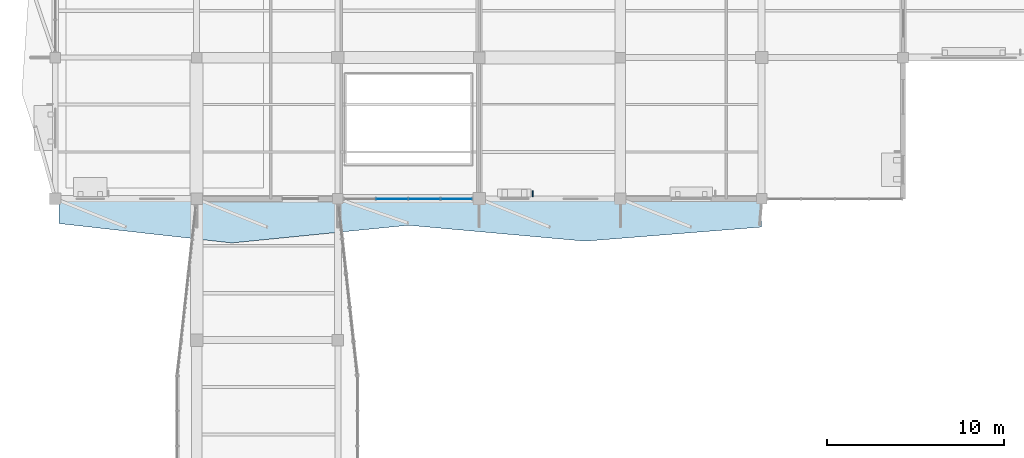
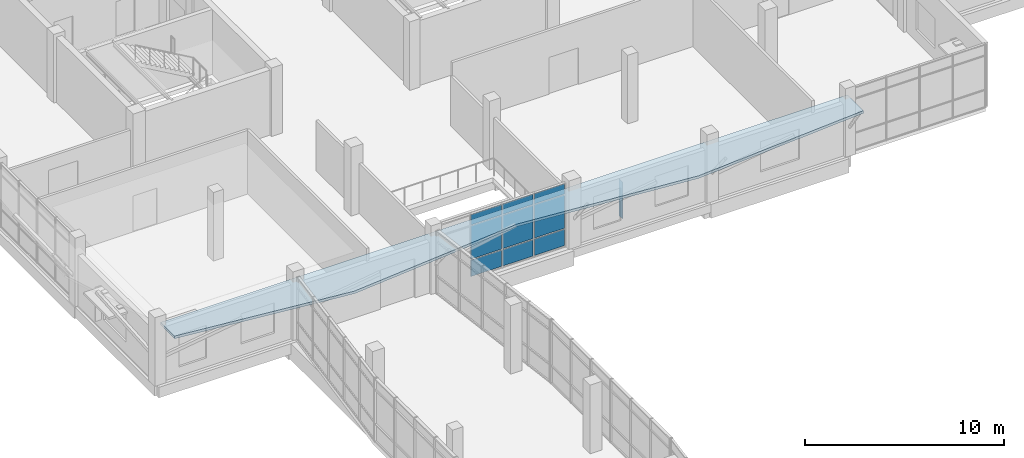
# One storey, part 59 of 84: 10 plates, 1 slab, 1 element without a shape of its own.
"""IFC4 building model written with IfcOpenShell, lengths in metres."""

from ifc_helpers import new_model, si_unit, direction, frame, origin, origin_2d, place, context, subcontext, project, spatial, polyline, rectangle, outline, extrude, material, layer, layer_set, type_object, element, aggregate, save


model = new_model("IFC4")

# Units and contexts
model_context = context("Model", 3, precision=1e-05, world=origin(), true_north=direction((0.0, 1.0)))
body_context = subcontext(model_context, "Body", "Model", "MODEL_VIEW")
ifc_project = project(units=[si_unit("LENGTHUNIT", "METRE"), si_unit("AREAUNIT", "SQUARE_METRE"), si_unit("VOLUMEUNIT", "CUBIC_METRE"), si_unit("PLANEANGLEUNIT", "RADIAN"), si_unit("MASSUNIT", "GRAM", prefix="KILO")], contexts=[model_context])

# Site, building, storey
site_placement = place(None, origin())
site = spatial("IfcSite", under=ifc_project, at=site_placement, CompositionType="ELEMENT")
building_placement = place(site_placement, origin())
building = spatial("IfcBuilding", under=site, at=building_placement, Name="Tenunan Teduh Sports Hall", CompositionType="ELEMENT")
storey_placement = place(building_placement, frame((0.0, 0.0, 10.800048828125)))
storey = spatial("IfcBuildingStorey", under=building, at=storey_placement, Name="L02", CompositionType="ELEMENT", Elevation=10.800048828125)

# Curtain wall, plates
ifc_material_1 = material(Name="Anodised aluminium", Category="aluminium")
curtain_wall_type = type_object("IfcCurtainWallType", Name="CW-UNIT-2", PredefinedType="NOTDEFINED", material=ifc_material_1)
curtain_wall_placement = place(storey_placement, origin())
curtain_wall = element("IfcCurtainWall", 1, at=curtain_wall_placement, inside=storey, type_object=curtain_wall_type, Name="CW-CWM-175-L02-210", PredefinedType="NOTDEFINED")
ifc_material_2 = material(Name="Low-E laminated double glazing", Category="glass")
ifc_layer_1 = layer(ifc_material_2, 0.028076171875)
ifc_layer_set_1 = layer_set([ifc_layer_1], Name="Low-E laminated double glazing")
plate_type_1 = type_object("IfcPlateType", Name="CWP-GLZ-28", PredefinedType="CURTAIN_PANEL", material=ifc_layer_set_1)
plate_1_placement = place(storey_placement, frame((25.05615234375, 78.0, 1.13232421875), z_axis=(0.0, 0.0, 1.0), x_axis=(1.0, 0.0, 0.0)))
plate_1 = element("IfcPlate", 2, at=plate_1_placement, type_object=plate_type_1, Name="CW-02 panel 2.2", PredefinedType="CURTAIN_PANEL", context=body_context, shape_type="SweptSolid", body=[
    extrude(rectangle(XDim=1.7724609375, YDim=0.028076171875, at=origin_2d()), origin(), (0.0, 0.0, 1.0), 2.034912109375),
])
plate_2_placement = place(storey_placement, frame((25.05615234375, 78.0, 3.232421875), z_axis=(0.0, 0.0, 1.0), x_axis=(1.0, 0.0, 0.0)))
plate_2 = element("IfcPlate", 3, at=plate_2_placement, type_object=plate_type_1, Name="CW-02 panel 2.3", PredefinedType="CURTAIN_PANEL", context=body_context, shape_type="SweptSolid", body=[
    extrude(rectangle(XDim=1.7724609375, YDim=0.028076171875, at=origin_2d()), origin(), (0.0, 0.0, 1.0), 0.62255859375),
])
plate_3_placement = place(storey_placement, frame((26.893798828125, 78.0, 1.13232421875), z_axis=(0.0, 0.0, 1.0), x_axis=(1.0, 0.0, 0.0)))
plate_3 = element("IfcPlate", 4, at=plate_3_placement, type_object=plate_type_1, Name="CW-02 panel 3.2", PredefinedType="CURTAIN_PANEL", context=body_context, shape_type="SweptSolid", body=[
    extrude(rectangle(XDim=1.7724609375, YDim=0.028076171875, at=origin_2d()), origin(), (0.0, 0.0, 1.0), 2.034912109375),
])
plate_4_placement = place(storey_placement, frame((26.893798828125, 78.0, 3.232421875), z_axis=(0.0, 0.0, 1.0), x_axis=(1.0, 0.0, 0.0)))
plate_4 = element("IfcPlate", 5, at=plate_4_placement, type_object=plate_type_1, Name="CW-02 panel 3.3", PredefinedType="CURTAIN_PANEL", context=body_context, shape_type="SweptSolid", body=[
    extrude(rectangle(XDim=1.7724609375, YDim=0.028076171875, at=origin_2d()), origin(), (0.0, 0.0, 1.0), 0.62255859375),
])
plate_5_placement = place(storey_placement, frame((28.715087890625, 78.0, 1.13232421875), z_axis=(0.0, 0.0, 1.0), x_axis=(1.0, 0.0, 0.0)))
plate_5 = element("IfcPlate", 6, at=plate_5_placement, type_object=plate_type_1, Name="CW-02 panel 4.2", PredefinedType="CURTAIN_PANEL", context=body_context, shape_type="SweptSolid", body=[
    extrude(rectangle(XDim=1.739990234375, YDim=0.028076171875, at=origin_2d()), origin(), (0.0, 0.0, 1.0), 2.034912109375),
])
plate_6_placement = place(storey_placement, frame((28.715087890625, 78.0, 3.232421875), z_axis=(0.0, 0.0, 1.0), x_axis=(1.0, 0.0, 0.0)))
plate_6 = element("IfcPlate", 7, at=plate_6_placement, type_object=plate_type_1, Name="CW-02 panel 4.3", PredefinedType="CURTAIN_PANEL", context=body_context, shape_type="SweptSolid", body=[
    extrude(rectangle(XDim=1.739990234375, YDim=0.028076171875, at=origin_2d()), origin(), (0.0, 0.0, 1.0), 0.62255859375),
])
ifc_material_3 = material(Name="Insulated aluminium spandrel panel", Category="aluminium")
ifc_layer_2 = layer(ifc_material_3, 0.044921875)
ifc_layer_set_2 = layer_set([ifc_layer_2], Name="Insulated aluminium spandrel panel")
plate_type_2 = type_object("IfcPlateType", Name="CWP-SPN-45", PredefinedType="CURTAIN_PANEL", material=ifc_layer_set_2)
plate_7_placement = place(storey_placement, frame((25.05615234375, 78.0, 0.06494140625), z_axis=(0.0, 0.0, 1.0), x_axis=(1.0, 0.0, 0.0)))
plate_7 = element("IfcPlate", 8, at=plate_7_placement, type_object=plate_type_2, Name="CW-02 panel 2.1", PredefinedType="CURTAIN_PANEL", context=body_context, shape_type="SweptSolid", body=[
    extrude(rectangle(XDim=1.7724609375, YDim=0.028076171875, at=origin_2d()), origin(), (0.0, 0.0, 1.0), 1.00244140625),
])
plate_8_placement = place(storey_placement, frame((26.893798828125, 78.0, 0.06494140625), z_axis=(0.0, 0.0, 1.0), x_axis=(1.0, 0.0, 0.0)))
plate_8 = element("IfcPlate", 9, at=plate_8_placement, type_object=plate_type_2, Name="CW-02 panel 3.1", PredefinedType="CURTAIN_PANEL", context=body_context, shape_type="SweptSolid", body=[
    extrude(rectangle(XDim=1.7724609375, YDim=0.028076171875, at=origin_2d()), origin(), (0.0, 0.0, 1.0), 1.00244140625),
])
plate_9_placement = place(storey_placement, frame((28.715087890625, 78.0, 0.06494140625), z_axis=(0.0, 0.0, 1.0), x_axis=(1.0, 0.0, 0.0)))
plate_9 = element("IfcPlate", 10, at=plate_9_placement, type_object=plate_type_2, Name="CW-02 panel 4.1", PredefinedType="CURTAIN_PANEL", context=body_context, shape_type="SweptSolid", body=[
    extrude(rectangle(XDim=1.739990234375, YDim=0.028076171875, at=origin_2d()), origin(), (0.0, 0.0, 1.0), 1.00244140625),
])
aggregate(curtain_wall, [plate_7, plate_1, plate_2, plate_8, plate_3, plate_4, plate_9, plate_5, plate_6])

# Plate
ifc_material_4 = material(Name="Anodised aluminium", Category="aluminium")
ifc_layer_3 = layer(ifc_material_4, 1.89990234375)
ifc_layer_set_3 = layer_set([ifc_layer_3], Name="Anodised aluminium")
plate_type_3 = type_object("IfcPlateType", Name="PLT-FIN-1", PredefinedType="SHEET", material=ifc_layer_set_3)
plate_10_placement = place(storey_placement, frame((33.0400390625, 78.284912109375, 0.43017578125), z_axis=(0.0, 0.0, 1.0), x_axis=(1.0, 0.0, 0.0)))
element("IfcPlate", 11, at=plate_10_placement, inside=storey, type_object=plate_type_3, Name="PLT-FIN-L02-039", PredefinedType="SHEET", context=body_context, shape_type="SweptSolid", body=[
    extrude(rectangle(XDim=0.0400390625, YDim=0.360107421875, at=origin_2d()), origin(), (0.0, 0.0, 1.0), 2.239990234375),
])

# Slab
ifc_material_5 = material(Name="Concrete C40/50", Category="concrete")
ifc_layer_4 = layer(ifc_material_5, 0.159912109375)
ifc_layer_set_4 = layer_set([ifc_layer_4], Name="Concrete C40/50")
slab_type = type_object("IfcSlabType", Name="SLB-ROOF-160", PredefinedType="ROOF", material=ifc_layer_set_4)
slab_placement = place(storey_placement, frame((0.0, 0.0, 3.389892578125)))
element("IfcSlab", 12, at=slab_placement, inside=storey, type_object=slab_type, Name="Window Head Sun-Shade Hood SHD-RIB-V5W-S-L02", PredefinedType="ROOF", context=body_context, shape_type="SweptSolid", body=[
    extrude(outline(polyline([(6.199951171875, 78.0), (46.0, 78.0), (46.0, 76.39990234375), (36.0, 75.60009765625), (26.0, 76.5), (16.0, 75.5), (6.199951171875, 76.60009765625), (6.199951171875, 78.0)])), origin(), (0.0, 0.0, 1.0), 0.16015625),
])

save(model, "model.ifc")
